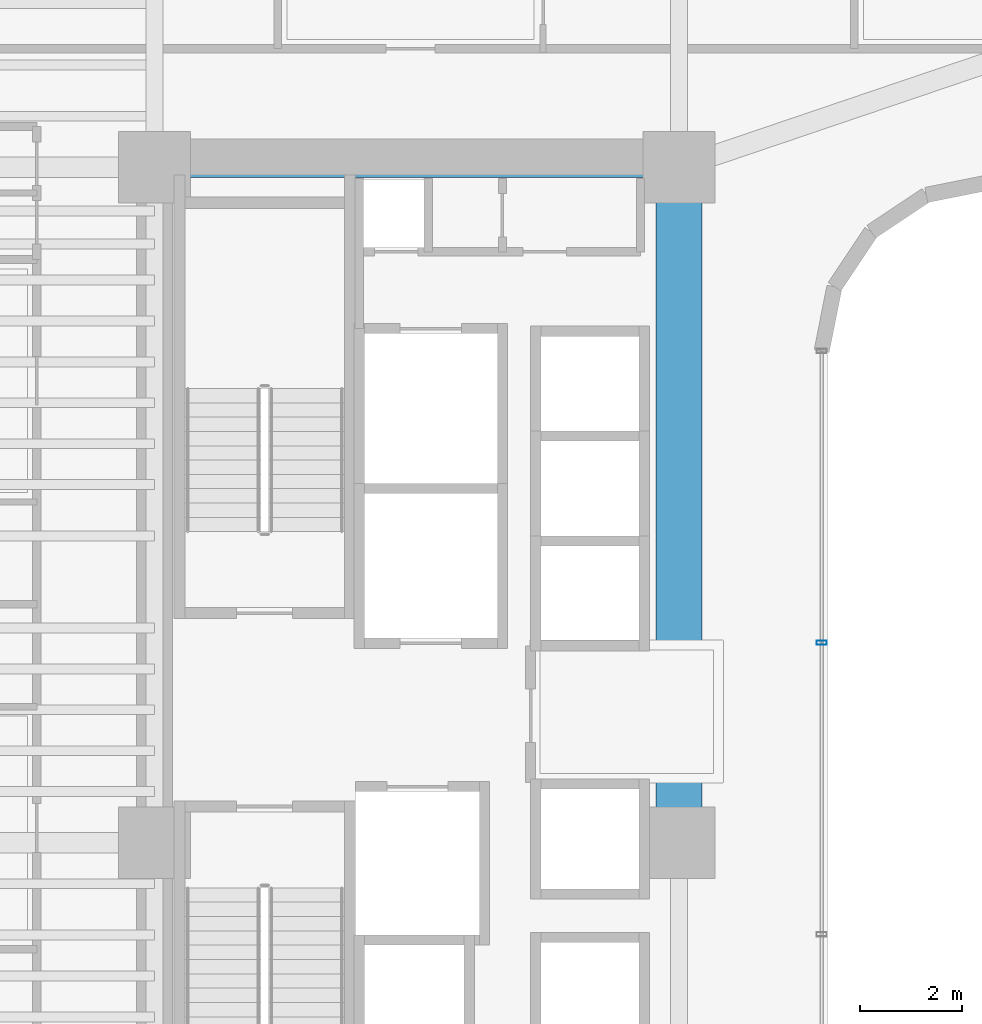
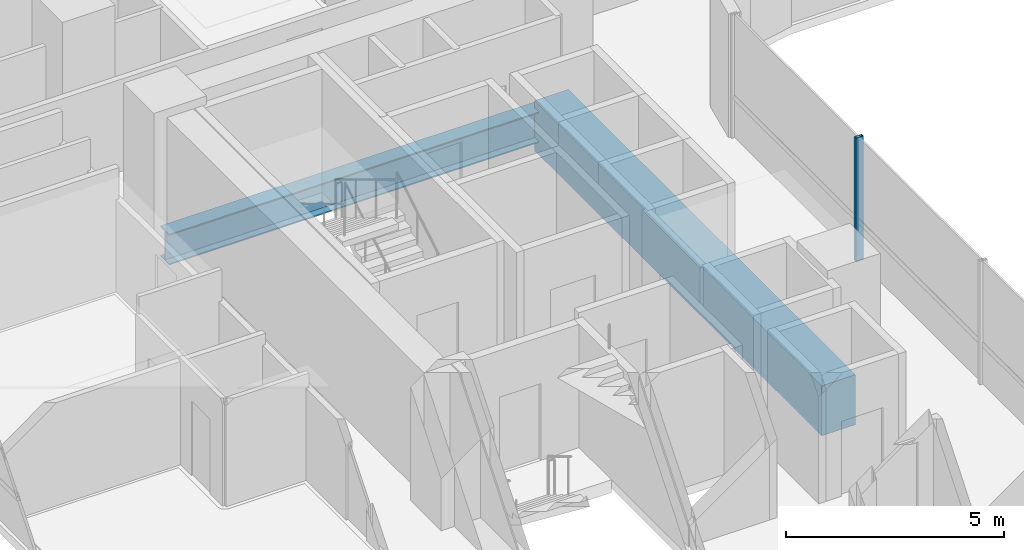
# One storey, part 11 of 41: 2 beams, 1 member, 1 element without a shape of its own.
"""IFC4 building model written with IfcOpenShell, lengths in metres."""

from ifc_helpers import new_model, si_unit, direction, frame, origin, origin_2d, place, context, subcontext, project, spatial, rectangle, hollow_rectangle, i_section, extrude, source, transform, mapped, material, material_profile, profile_set, type_object, element, aggregate, save


model = new_model("IFC4")

# Units and contexts
model_context = context("Model", 3, precision=1e-05, world=origin(), true_north=direction((0.0, 1.0)))
body_context = subcontext(model_context, "Body", "Model", "MODEL_VIEW")
ifc_project = project(units=[si_unit("LENGTHUNIT", "METRE"), si_unit("AREAUNIT", "SQUARE_METRE"), si_unit("VOLUMEUNIT", "CUBIC_METRE"), si_unit("PLANEANGLEUNIT", "RADIAN"), si_unit("MASSUNIT", "GRAM", prefix="KILO")], contexts=[model_context])

# Site, building, storey
site_placement = place(None, origin())
site = spatial("IfcSite", under=ifc_project, at=site_placement, CompositionType="ELEMENT")
building_placement = place(site_placement, origin())
building = spatial("IfcBuilding", under=site, at=building_placement, Name="Valdorenza Pilgrim Sanctuary Tower", CompositionType="ELEMENT")
storey_placement = place(building_placement, frame((0.0, 0.0, 59.300048828125)))
storey = spatial("IfcBuildingStorey", under=building, at=storey_placement, Name="L14", CompositionType="ELEMENT", Elevation=59.300048828125)

# Beams
ifc_material_1 = material(Name="Concrete C60/75", Category="concrete")
ifc_material_profile_1 = material_profile(ifc_material_1, rectangle(XDim=0.89990234375, YDim=1.39990234375, at=origin_2d()), Name="RC 1400x900")
ifc_profile_set_1 = profile_set([ifc_material_profile_1], Name="Concrete C60/75")
beam_type_1 = type_object("IfcBeamType", Name="STR-BM-LNT-1400", PredefinedType="LINTEL", material=ifc_profile_set_1)
shared_shape_1 = source(origin(), body_context, "Body", "SweptSolid", [
    extrude(rectangle(XDim=0.89990234375, YDim=1.39990234375, at=origin_2d()), origin(), (0.0, 0.0, 1.0), 13.2001953125),
])
beam_1_placement = place(storey_placement, frame((-12.39990234375, -2.60009765625, -0.739990234375), z_axis=(0.0, 1.0, 0.0), x_axis=(-1.0, 0.0, 0.0)))
element("IfcBeam", 1, at=beam_1_placement, inside=storey, type_object=beam_type_1, Name="L14 Core A Coupling Lintel Girder", PredefinedType="LINTEL", context=body_context, shape_type="MappedRepresentation", body=[
    mapped(shared_shape_1, transform((0.0, 0.0, 0.0), x_axis=(1.0, 0.0, 0.0), y_axis=(0.0, 1.0, 0.0), z_axis=(0.0, 0.0, 1.0), scale=1.0)),
])
ifc_material_2 = material(Name="Steel ASTM A992 Grade 50", Category="steel")
ifc_material_profile_2 = material_profile(ifc_material_2, i_section(OverallWidth=0.39990234375, OverallDepth=0.862060546875, WebThickness=0.019775390625, FlangeThickness=0.032470703125, at=origin_2d()), Name="W33X221")
ifc_profile_set_2 = profile_set([ifc_material_profile_2], Name="Steel ASTM A992 Grade 50")
beam_type_2 = type_object("IfcBeamType", Name="STR-BM-GRD-W33", PredefinedType="BEAM", material=ifc_profile_set_2)
shared_shape_2 = source(origin(), body_context, "Body", "SweptSolid", [
    extrude(i_section(OverallWidth=0.39990234375, OverallDepth=0.862060546875, WebThickness=0.019775390625, FlangeThickness=0.032470703125, at=origin_2d()), origin(), (0.0, 0.0, 1.0), 10.25),
])
beam_2_placement = place(storey_placement, frame((-22.64990234375, 10.60009765625, -0.671142578125), z_axis=(1.0, 0.0, 0.0), x_axis=(0.0, 1.0, 0.0)))
element("IfcBeam", 2, at=beam_2_placement, inside=storey, type_object=beam_type_2, Name="L14 Floor Girder CA-XC-N1", PredefinedType="BEAM", context=body_context, shape_type="MappedRepresentation", body=[
    mapped(shared_shape_2, transform((0.0, 0.0, 0.0), x_axis=(1.0, 0.0, 0.0), y_axis=(0.0, 1.0, 0.0), z_axis=(0.0, 0.0, 1.0), scale=1.0)),
])

# Curtain wall, member
ifc_material_3 = material(Name="Curtain-wall IGU glazing", Category="glass")
curtain_wall_type = type_object("IfcCurtainWallType", Name="CW-SYS-02", PredefinedType="NOTDEFINED", material=ifc_material_3)
curtain_wall_placement = place(storey_placement, origin())
curtain_wall = element("IfcCurtainWall", 3, at=curtain_wall_placement, inside=storey, type_object=curtain_wall_type, Name="L14 Curtain Wall CW-L14-1-41", PredefinedType="NOTDEFINED")
ifc_material_4 = material(Name="Anodised aluminium AW-6060", Category="aluminium")
ifc_material_profile_3 = material_profile(ifc_material_4, hollow_rectangle(XDim=0.0849609375, YDim=0.199951171875, WallThickness=0.0048828125, at=origin_2d()), Name="ALU-M 200x85x5")
ifc_profile_set_3 = profile_set([ifc_material_profile_3], Name="Anodised aluminium AW-6060")
member_type = type_object("IfcMemberType", Name="CW-MUL-02", PredefinedType="MULLION", material=ifc_profile_set_3)
shared_shape_3 = source(origin(), body_context, "Body", "SweptSolid", [
    extrude(hollow_rectangle(XDim=0.0849609375, YDim=0.199951171875, WallThickness=0.0048828125, at=origin_2d()), origin(), (0.0, 0.0, 1.0), 3.4599609375),
])
member_placement = place(storey_placement, frame((-9.610107421875, 1.310791015625, 0.0), z_axis=(0.0, 0.0, 1.0), x_axis=(0.0, -1.0, 0.0)))
member = element("IfcMember", 4, at=member_placement, type_object=member_type, Name="CW-L14-1-41 Mullion 2", PredefinedType="MULLION", context=body_context, shape_type="MappedRepresentation", body=[
    mapped(shared_shape_3, transform((0.0, 0.0, 0.0), x_axis=(1.0, 0.0, 0.0), y_axis=(0.0, 1.0, 0.0), z_axis=(0.0, 0.0, 1.0), scale=1.0)),
])
aggregate(curtain_wall, [member])

save(model, "model.ifc")
